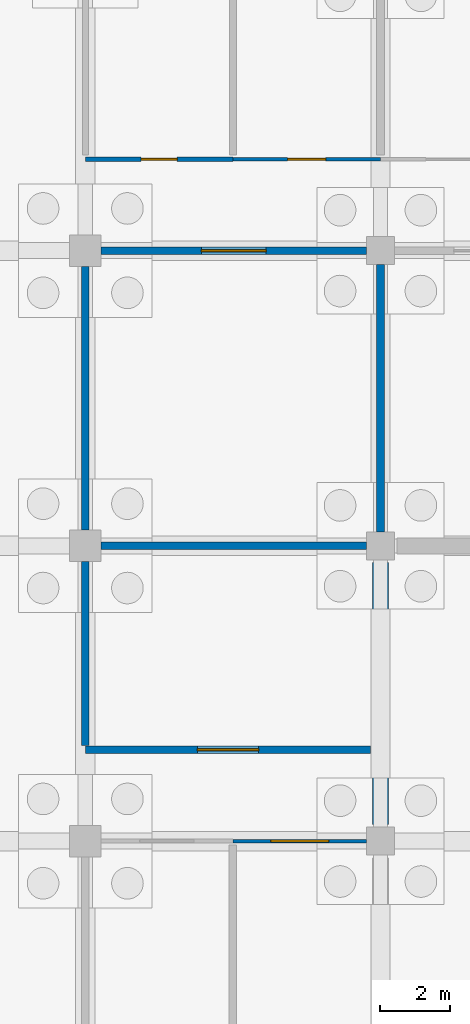
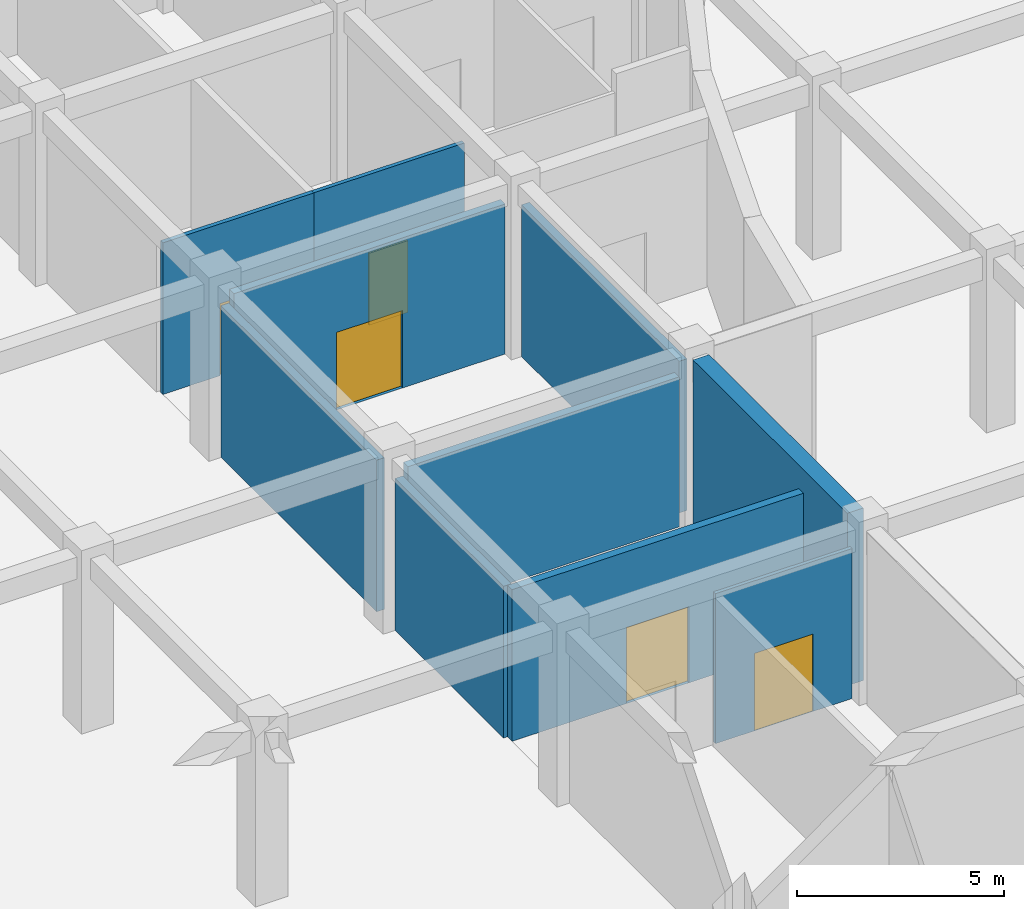
# One storey, part 35 of 65: 10 walls, 5 doors, 5 openings.
"""IFC4 building model written with IfcOpenShell, lengths in metres."""

from ifc_helpers import new_model, si_unit, direction, frame, frame_2d, origin, place, context, subcontext, project, spatial, rectangle, extrude, material, layer, layer_set, type_object, element, fill, save


model = new_model("IFC4")

# Units and contexts
model_context = context("Model", 3, precision=1e-05, world=origin(), true_north=direction((0.0, 1.0)))
body_context = subcontext(model_context, "Body", "Model", "MODEL_VIEW")
ifc_project = project(units=[si_unit("LENGTHUNIT", "METRE"), si_unit("AREAUNIT", "SQUARE_METRE"), si_unit("VOLUMEUNIT", "CUBIC_METRE"), si_unit("PLANEANGLEUNIT", "RADIAN"), si_unit("MASSUNIT", "GRAM", prefix="KILO")], contexts=[model_context])

# Site, building, storey
site_placement = place(None, origin())
site = spatial("IfcSite", under=ifc_project, at=site_placement, CompositionType="ELEMENT")
building_placement = place(site_placement, origin())
building = spatial("IfcBuilding", under=site, at=building_placement, Name="Bramfleet General Hospital", CompositionType="ELEMENT")
storey_placement = place(building_placement, frame((0.0, 0.0, -5.39990234375)))
storey = spatial("IfcBuildingStorey", under=building, at=storey_placement, Name="B1", CompositionType="ELEMENT", Elevation=-5.39990234375)

# Wall
ifc_material_1 = material(Name="Concrete C35/45", Category="concrete")
ifc_layer_1 = layer(ifc_material_1, 0.449951171875, Name="WT-EW-01")
ifc_layer_set_1 = layer_set([ifc_layer_1], Name="Concrete C35/45")
wall_type_1 = type_object("IfcWallType", Name="WT-EW-01", PredefinedType="SOLIDWALL", material=ifc_layer_set_1)
wall_1_placement = place(storey_placement, frame((126.0, 49.925048828125, 0.0), z_axis=(0.0, 0.0, 1.0), x_axis=(0.0, -1.0, 0.0)))
element("IfcWall", 1, at=wall_1_placement, inside=storey, type_object=wall_type_1, Name="B1 Waterproof Retaining Wall 49", PredefinedType="SOLIDWALL", context=body_context, shape_type="SweptSolid", body=[
    extrude(rectangle(XDim=7.449951171875, YDim=0.449951171875, at=frame_2d((3.72509765625, 0.0))), origin(), (0.0, 0.0, 1.0), 5.079833984375),
])

# Wall, opening, door
ifc_layer_2 = layer(ifc_material_1, 0.219970703125, Name="WT-IW-01")
ifc_layer_set_2 = layer_set([ifc_layer_2], Name="Concrete C35/45")
wall_type_2 = type_object("IfcWallType", Name="WT-IW-01", PredefinedType="PARTITIONING", material=ifc_layer_set_2)
wall_2_placement = place(storey_placement, frame((117.60009765625, 44.60009765625, 0.0), z_axis=(0.0, 0.0, 1.0), x_axis=(1.0, 0.0, 0.0)))
wall_2 = element("IfcWall", 2, at=wall_2_placement, inside=storey, type_object=wall_type_2, Name="B1 Interior Partition IW-B1-0141", PredefinedType="PARTITIONING", context=body_context, shape_type="SweptSolid", body=[
    extrude(rectangle(XDim=8.119873046875, YDim=0.219970703125, at=frame_2d((4.06005859375, 0.0))), origin(), (0.0, 0.0, 1.0), 4.469970703125),
])
opening_1_placement = place(wall_2_placement, frame((3.18994140625, 0.0, 0.0)))
opening_1 = element("IfcOpeningElement", 3, at=opening_1_placement, cuts=wall_2, Name="Opening D0339", PredefinedType="OPENING", context=body_context, shape_type="SweptSolid", body=[
    extrude(rectangle(XDim=1.739990234375, YDim=2.239990234375, at=frame_2d((0.8701171875, 1.1201171875))), frame((0.0, 0.119873046875, 0.0), z_axis=(0.0, -1.0, 0.0), x_axis=(1.0, 0.0, 0.0)), (0.0, 0.0, 1.0), 0.239990234375),
])
ifc_material_2 = material(Name="Stainless steel and acoustic timber leaf", Category="steel")
door_type_1 = type_object("IfcDoorType", Name="DR-D-19", OperationType="NOTDEFINED", PredefinedType="DOOR", material=ifc_material_2)
door_1_placement = place(opening_1_placement, origin())
door_1 = element("IfcDoor", 4, at=door_1_placement, inside=storey, type_object=door_type_1, Name="Central Sterile Supply Room B1-1405 Door D0339", OperationType="DOUBLE_SWING_RIGHT", OverallHeight=2.239990234375, OverallWidth=1.739990234375, PredefinedType="DOOR", context=body_context, shape_type="SweptSolid", body=[
    extrude(rectangle(XDim=1.739990234375, YDim=2.239990234375, at=frame_2d((0.8701171875, 1.1201171875))), frame((0.0, 0.02490234375, 0.0), z_axis=(0.0, -1.0, 0.0), x_axis=(1.0, 0.0, 0.0)), (0.0, 0.0, 1.0), 0.050048828125),
])
fill(opening_1, door_1)

# Wall
wall_3_placement = place(storey_placement, frame((118.044921875, 50.39990234375, 0.0), z_axis=(0.0, 0.0, 1.0), x_axis=(1.0, 0.0, 0.0)))
element("IfcWall", 5, at=wall_3_placement, inside=storey, type_object=wall_type_2, Name="B1 Interior Partition IW-B1-0150", PredefinedType="PARTITIONING", context=body_context, shape_type="SweptSolid", body=[
    extrude(rectangle(XDim=7.56005859375, YDim=0.219970703125, at=frame_2d((3.780029296875, 0.0))), origin(), (0.0, 0.0, 1.0), 4.419921875),
])

# Wall, opening, door
wall_4_placement = place(storey_placement, frame((118.044921875, 58.800048828125, 0.0), z_axis=(0.0, 0.0, 1.0), x_axis=(1.0, 0.0, 0.0)))
wall_4 = element("IfcWall", 6, at=wall_4_placement, inside=storey, type_object=wall_type_2, Name="B1 Interior Partition IW-B1-0160", PredefinedType="PARTITIONING", context=body_context, shape_type="SweptSolid", body=[
    extrude(rectangle(XDim=7.56005859375, YDim=0.219970703125, at=frame_2d((3.780029296875, 0.0))), origin(), (0.0, 0.0, 1.0), 4.419921875),
])
opening_2_placement = place(wall_4_placement, frame((2.860107421875, 0.0, 0.0)))
opening_2 = element("IfcOpeningElement", 7, at=opening_2_placement, cuts=wall_4, Name="Opening D0340", PredefinedType="OPENING", context=body_context, shape_type="SweptSolid", body=[
    extrude(rectangle(XDim=1.840087890625, YDim=2.280029296875, at=frame_2d((0.919921875, 1.14013671875))), frame((0.0, 0.119873046875, 0.0), z_axis=(0.0, -1.0, 0.0), x_axis=(1.0, 0.0, 0.0)), (0.0, 0.0, 1.0), 0.239990234375),
])
door_type_2 = type_object("IfcDoorType", Name="DR-D-20", OperationType="NOTDEFINED", PredefinedType="DOOR", material=ifc_material_2)
door_2_placement = place(opening_2_placement, origin())
door_2 = element("IfcDoor", 8, at=door_2_placement, inside=storey, type_object=door_type_2, Name="Central Sterile Supply Room B1-1406 Door D0340", OperationType="DOUBLE_SWING_LEFT", OverallHeight=2.280029296875, OverallWidth=1.840087890625, PredefinedType="DOOR", context=body_context, shape_type="SweptSolid", body=[
    extrude(rectangle(XDim=1.840087890625, YDim=2.280029296875, at=frame_2d((0.919921875, 1.14013671875))), frame((0.0, 0.02490234375, 0.0), z_axis=(0.0, -1.0, 0.0), x_axis=(1.0, 0.0, 0.0)), (0.0, 0.0, 1.0), 0.050048828125),
])
fill(opening_2, door_2)

# Walls
wall_5_placement = place(storey_placement, frame((117.60009765625, 44.715087890625, 0.0), z_axis=(0.0, 0.0, 1.0), x_axis=(0.0, 1.0, 0.0)))
element("IfcWall", 9, at=wall_5_placement, inside=storey, type_object=wall_type_2, Name="B1 Interior Partition IW-B1-0519", PredefinedType="PARTITIONING", context=body_context, shape_type="SweptSolid", body=[
    extrude(rectangle(XDim=5.239990234375, YDim=0.219970703125, at=frame_2d((2.6201171875, 0.0))), origin(), (0.0, 0.0, 1.0), 4.469970703125),
])
wall_6_placement = place(storey_placement, frame((117.60009765625, 50.844970703125, 0.0), z_axis=(0.0, 0.0, 1.0), x_axis=(0.0, 1.0, 0.0)))
element("IfcWall", 10, at=wall_6_placement, inside=storey, type_object=wall_type_2, Name="B1 Interior Partition IW-B1-0520", PredefinedType="PARTITIONING", context=body_context, shape_type="SweptSolid", body=[
    extrude(rectangle(XDim=7.510009765625, YDim=0.219970703125, at=frame_2d((3.7548828125, 0.0))), origin(), (0.0, 0.0, 1.0), 4.469970703125),
])
wall_7_placement = place(storey_placement, frame((126.0, 50.794921875, 0.0), z_axis=(0.0, 0.0, 1.0), x_axis=(0.0, 1.0, 0.0)))
element("IfcWall", 11, at=wall_7_placement, inside=storey, type_object=wall_type_2, Name="B1 Interior Partition IW-B1-0540", PredefinedType="PARTITIONING", context=body_context, shape_type="SweptSolid", body=[
    extrude(rectangle(XDim=7.610107421875, YDim=0.219970703125, at=frame_2d((3.80517578125, 0.0))), origin(), (0.0, 0.0, 1.0), 4.469970703125),
])

# Wall, opening, door
ifc_material_3 = material(Name="Gypsum plasterboard on acoustic steel studs", Category="steel")
ifc_layer_3 = layer(ifc_material_3, 0.1201171875, Name="WT-IW-10")
ifc_layer_set_3 = layer_set([ifc_layer_3], Name="Gypsum plasterboard on acoustic steel studs")
wall_type_3 = type_object("IfcWallType", Name="WT-IW-10", PredefinedType="PARTITIONING", material=ifc_layer_set_3)
wall_8_placement = place(storey_placement, frame((117.60009765625, 61.39990234375, 0.0), z_axis=(0.0, 0.0, 1.0), x_axis=(1.0, 0.0, 0.0)))
wall_8 = element("IfcWall", 12, at=wall_8_placement, inside=storey, type_object=wall_type_3, Name="B1 Interior Partition IW-B1-0178", PredefinedType="PARTITIONING", context=body_context, shape_type="SweptSolid", body=[
    extrude(rectangle(XDim=4.199951171875, YDim=0.1201171875, at=frame_2d((2.10009765625, 0.0))), origin(), (0.0, 0.0, 1.0), 4.469970703125),
])
opening_3_placement = place(wall_8_placement, frame((1.590087890625, 0.0, 0.0)))
opening_3 = element("IfcOpeningElement", 13, at=opening_3_placement, cuts=wall_8, Name="Opening D0341", PredefinedType="OPENING", context=body_context, shape_type="SweptSolid", body=[
    extrude(rectangle(XDim=1.02001953125, YDim=2.1201171875, at=frame_2d((0.510009765625, 1.06005859375))), frame((0.0, 0.070068359375, 0.0), z_axis=(0.0, -1.0, 0.0), x_axis=(1.0, 0.0, 0.0)), (0.0, 0.0, 1.0), 0.14013671875),
])
door_type_3 = type_object("IfcDoorType", Name="DR-D-21", OperationType="NOTDEFINED", PredefinedType="DOOR", material=ifc_material_2)
door_3_placement = place(opening_3_placement, origin())
door_3 = element("IfcDoor", 14, at=door_3_placement, inside=storey, type_object=door_type_3, Name="Clean Medical Supply Store B1-1407 Door D0341", OperationType="SINGLE_SWING_RIGHT", OverallHeight=2.1201171875, OverallWidth=1.02001953125, PredefinedType="DOOR", context=body_context, shape_type="SweptSolid", body=[
    extrude(rectangle(XDim=1.02001953125, YDim=2.1201171875, at=frame_2d((0.510009765625, 1.06005859375))), frame((0.0, 0.02490234375, 0.0), z_axis=(0.0, -1.0, 0.0), x_axis=(1.0, 0.0, 0.0)), (0.0, 0.0, 1.0), 0.050048828125),
])
fill(opening_3, door_3)

ifc_layer_4 = layer(ifc_material_3, 0.112060546875, Name="WT-IW-11")
ifc_layer_set_4 = layer_set([ifc_layer_4], Name="Gypsum plasterboard on acoustic steel studs")
wall_type_4 = type_object("IfcWallType", Name="WT-IW-11", PredefinedType="PARTITIONING", material=ifc_layer_set_4)
wall_9_placement = place(storey_placement, frame((121.800048828125, 61.39990234375, 0.0), z_axis=(0.0, 0.0, 1.0), x_axis=(1.0, 0.0, 0.0)))
wall_9 = element("IfcWall", 15, at=wall_9_placement, inside=storey, type_object=wall_type_4, Name="B1 Interior Partition IW-B1-0179", PredefinedType="PARTITIONING", context=body_context, shape_type="SweptSolid", body=[
    extrude(rectangle(XDim=4.199951171875, YDim=0.112060546875, at=frame_2d((2.10009765625, 0.0))), origin(), (0.0, 0.0, 1.0), 4.469970703125),
])
opening_4_placement = place(wall_9_placement, frame((1.56005859375, 0.0, 0.0)))
opening_4 = element("IfcOpeningElement", 16, at=opening_4_placement, cuts=wall_9, Name="Opening D0342", PredefinedType="OPENING", context=body_context, shape_type="SweptSolid", body=[
    extrude(rectangle(XDim=1.080078125, YDim=2.1201171875, at=frame_2d((0.5400390625, 1.06005859375))), frame((0.0, 0.06591796875, 0.0), z_axis=(0.0, -1.0, 0.0), x_axis=(1.0, 0.0, 0.0)), (0.0, 0.0, 1.0), 0.132080078125),
])
door_type_4 = type_object("IfcDoorType", Name="DR-D-22", OperationType="NOTDEFINED", PredefinedType="DOOR", material=ifc_material_2)
door_4_placement = place(opening_4_placement, origin())
door_4 = element("IfcDoor", 17, at=door_4_placement, inside=storey, type_object=door_type_4, Name="Clinical Engineering Workshop B1-1407 Door D0342", OperationType="SINGLE_SWING_LEFT", OverallHeight=2.1201171875, OverallWidth=1.080078125, PredefinedType="DOOR", context=body_context, shape_type="SweptSolid", body=[
    extrude(rectangle(XDim=1.080078125, YDim=2.1201171875, at=frame_2d((0.5400390625, 1.06005859375))), frame((0.0, 0.02490234375, 0.0), z_axis=(0.0, -1.0, 0.0), x_axis=(1.0, 0.0, 0.0)), (0.0, 0.0, 1.0), 0.050048828125),
])
fill(opening_4, door_4)

ifc_layer_5 = layer(ifc_material_3, 0.10009765625, Name="WT-IW-12")
ifc_layer_set_5 = layer_set([ifc_layer_5], Name="Gypsum plasterboard on acoustic steel studs")
wall_type_5 = type_object("IfcWallType", Name="WT-IW-12", PredefinedType="PARTITIONING", material=ifc_layer_set_5)
wall_10_placement = place(storey_placement, frame((121.800048828125, 42.0, 0.0), z_axis=(0.0, 0.0, 1.0), x_axis=(1.0, 0.0, 0.0)))
wall_10 = element("IfcWall", 18, at=wall_10_placement, inside=storey, type_object=wall_type_5, Name="B1 Interior Partition IW-B1-0132", PredefinedType="PARTITIONING", context=body_context, shape_type="SweptSolid", body=[
    extrude(rectangle(XDim=3.804931640625, YDim=0.10009765625, at=frame_2d((1.90234375, 0.0))), origin(), (0.0, 0.0, 1.0), 4.419921875),
])
opening_5_placement = place(wall_10_placement, frame((1.08251953125, 0.0, 0.0)))
opening_5 = element("IfcOpeningElement", 19, at=opening_5_placement, cuts=wall_10, Name="Opening D0338", PredefinedType="OPENING", context=body_context, shape_type="SweptSolid", body=[
    extrude(rectangle(XDim=1.639892578125, YDim=2.280029296875, at=frame_2d((0.81982421875, 1.14013671875))), frame((0.0, 0.06005859375, 0.0), z_axis=(0.0, -1.0, 0.0), x_axis=(1.0, 0.0, 0.0)), (0.0, 0.0, 1.0), 0.1201171875),
])
door_type_5 = type_object("IfcDoorType", Name="DR-D-18", OperationType="NOTDEFINED", PredefinedType="DOOR", material=ifc_material_2)
door_5_placement = place(opening_5_placement, origin())
door_5 = element("IfcDoor", 20, at=door_5_placement, inside=storey, type_object=door_type_5, Name="Clinical Engineering Workshop B1-1404 Door D0338", OperationType="DOUBLE_SWING_LEFT", OverallHeight=2.280029296875, OverallWidth=1.639892578125, PredefinedType="DOOR", context=body_context, shape_type="SweptSolid", body=[
    extrude(rectangle(XDim=1.639892578125, YDim=2.280029296875, at=frame_2d((0.81982421875, 1.14013671875))), frame((0.0, 0.02490234375, 0.0), z_axis=(0.0, -1.0, 0.0), x_axis=(1.0, 0.0, 0.0)), (0.0, 0.0, 1.0), 0.050048828125),
])
fill(opening_5, door_5)

save(model, "model.ifc")
